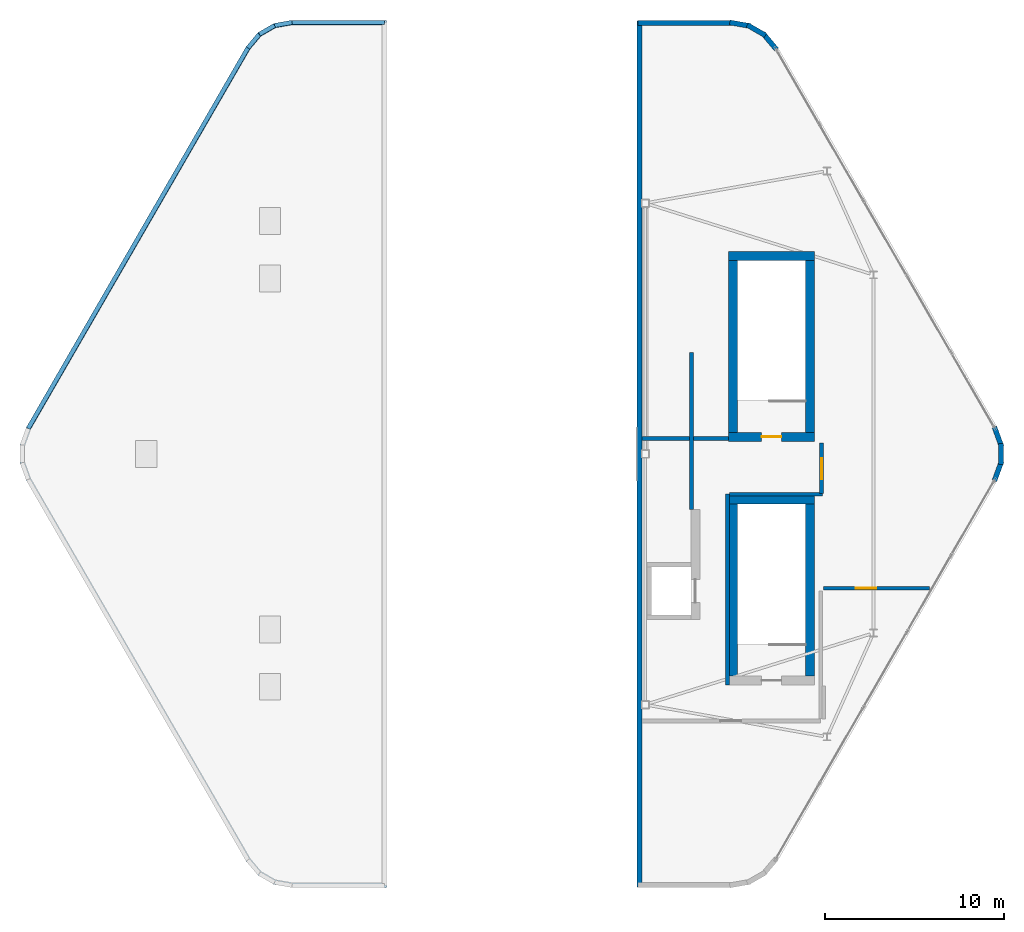
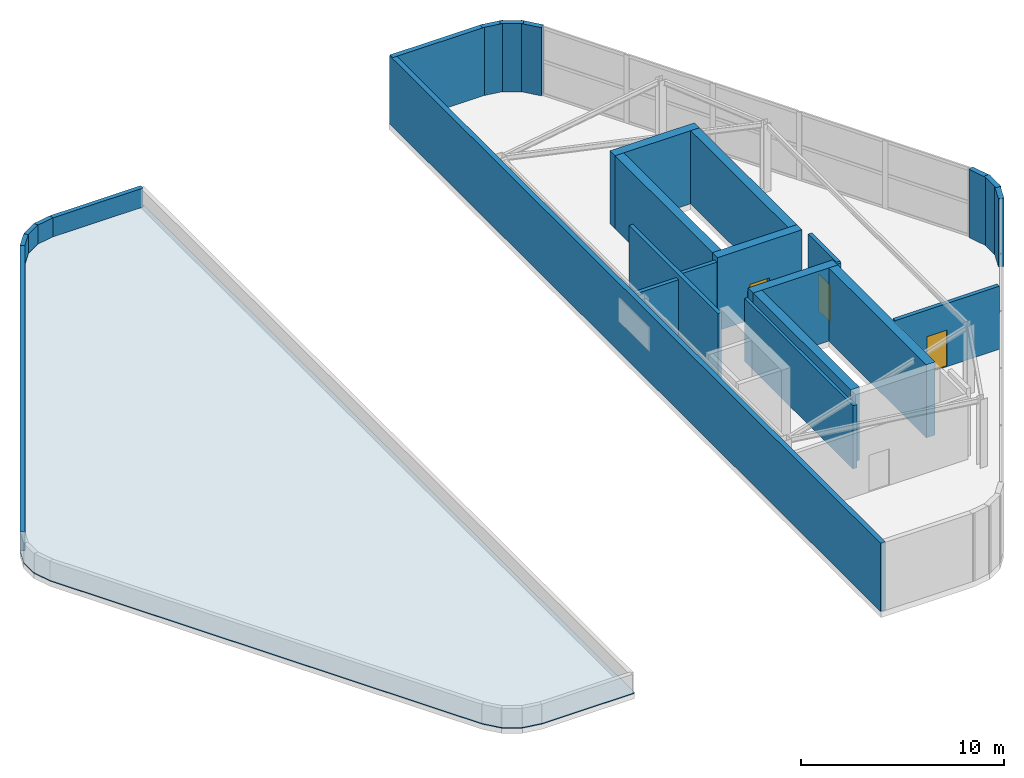
# One storey, part 7 of 8: 27 walls, 3 doors, 1 roof, 3 openings.
"""IFC4 building model written with IfcOpenShell, lengths in metres."""

from ifc_helpers import new_model, si_unit, direction, frame, frame_2d, origin, place, context, subcontext, project, spatial, polyline, rectangle, outline, extrude, material, layer, layer_set, type_object, element, fill, save


model = new_model("IFC4")

# Units and contexts
model_context = context("Model", 3, precision=1e-05, world=origin(), true_north=direction((0.0, 1.0)))
body_context = subcontext(model_context, "Body", "Model", "MODEL_VIEW")
ifc_project = project(units=[si_unit("LENGTHUNIT", "METRE"), si_unit("AREAUNIT", "SQUARE_METRE"), si_unit("VOLUMEUNIT", "CUBIC_METRE"), si_unit("PLANEANGLEUNIT", "RADIAN"), si_unit("MASSUNIT", "GRAM", prefix="KILO")], contexts=[model_context])

# Site, building, storey
site_placement = place(None, origin())
site = spatial("IfcSite", under=ifc_project, at=site_placement, CompositionType="ELEMENT")
building_placement = place(site_placement, origin())
building = spatial("IfcBuilding", under=site, at=building_placement, Name="Zuhravey Tower", CompositionType="ELEMENT")
storey_placement = place(building_placement, frame((0.0, 0.0, 383.39990234375)))
storey = spatial("IfcBuildingStorey", under=building, at=storey_placement, Name="L97", CompositionType="ELEMENT", Elevation=383.39990234375)

# Walls
ifc_material_1 = material(Name="Concrete C50/60", Category="concrete")
ifc_layer_1 = layer(ifc_material_1, 0.5)
ifc_layer_set_1 = layer_set([ifc_layer_1], Name="Concrete C50/60")
wall_type_1 = type_object("IfcWallType", Name="Core Shear Wall 500", PredefinedType="SHEAR", material=ifc_layer_set_1)
wall_1_placement = place(storey_placement, frame((52.89990234375, 29.449951171875, 0.0), z_axis=(0.0, 0.0, 1.0), x_axis=(-1.0, 0.0, 0.0)))
element("IfcWall", 1, at=wall_1_placement, inside=storey, type_object=wall_type_1, Name="L97 CST2 North Shaft Wall", PredefinedType="SHEAR", context=body_context, shape_type="SweptSolid", body=[
    extrude(rectangle(XDim=4.7998046875, YDim=0.5, at=frame_2d((2.39990234375, 0.0))), origin(), (0.0, 0.0, 1.0), 4.400146484375),
])
for number, where, z_axis, x_axis, name in (
    (2, (48.35009765625, 19.60009765625, 0.0), (0.0, 0.0, 1.0), (0.0, 1.0, 0.0), "L97 CST2 West Shaft Wall"),
    (3, (52.64990234375, 29.199951171875, 0.0), (0.0, 0.0, 1.0), (0.0, -1.0, 0.0), "L97 CST2 East Shaft Wall"),
):
    element("IfcWall", number, at=place(storey_placement, frame(where, z_axis=z_axis, x_axis=x_axis)), inside=storey, type_object=wall_type_1, Name=name, PredefinedType="SHEAR", context=body_context, shape_type="SweptSolid", body=[
        extrude(rectangle(XDim=9.599853515625, YDim=0.5, at=frame_2d((4.7998046875, 0.0))), origin(), (0.0, 0.0, 1.0), 4.400146484375),
    ])

# Wall, opening, door
wall_2_placement = place(storey_placement, frame((48.10009765625, 32.949951171875, 0.0), z_axis=(0.0, 0.0, 1.0), x_axis=(1.0, 0.0, 0.0)))
wall_2 = element("IfcWall", 4, at=wall_2_placement, inside=storey, type_object=wall_type_1, Name="L97 CST3 South Shaft Wall", PredefinedType="SHEAR", context=body_context, shape_type="SweptSolid", body=[
    extrude(rectangle(XDim=4.7998046875, YDim=0.5, at=frame_2d((2.39990234375, 0.0))), origin(), (0.0, 0.0, 1.0), 4.400146484375),
])
opening_1_placement = place(wall_2_placement, frame((1.85009765625, 0.0, 0.0)))
opening_1 = element("IfcOpeningElement", 5, at=opening_1_placement, cuts=wall_2, Name="Opening STD1", PredefinedType="OPENING", context=body_context, shape_type="SweptSolid", body=[
    extrude(rectangle(XDim=1.10009765625, YDim=2.14990234375, at=frame_2d((0.550048828125, 1.074951171875))), frame((0.0, 0.261962890625, 0.0), z_axis=(0.0, -1.0, 0.0), x_axis=(1.0, 0.0, 0.0)), (0.0, 0.0, 1.0), 0.52392578125),
])
ifc_material_2 = material(Name="Galvanised fire-rated steel leaf", Category="steel")
door_type_1 = type_object("IfcDoorType", Name="Protected Stair Fire Door 1100x2150", OperationType="NOTDEFINED", PredefinedType="USERDEFINED", material=ifc_material_2)
door_1_placement = place(opening_1_placement, origin())
door_1 = element("IfcDoor", 6, at=door_1_placement, inside=storey, type_object=door_type_1, Name="L97 CST3 Door", ObjectType="EXITDOOR", OperationType="SINGLE_SWING_LEFT", OverallHeight=2.14990234375, OverallWidth=1.10009765625, PredefinedType="USERDEFINED", context=body_context, shape_type="SweptSolid", body=[
    extrude(rectangle(XDim=1.10009765625, YDim=2.14990234375, at=frame_2d((0.550048828125, 1.074951171875))), frame((0.0, 0.02490234375, 0.0), z_axis=(0.0, -1.0, 0.0), x_axis=(1.0, 0.0, 0.0)), (0.0, 0.0, 1.0), 0.050048828125),
])
fill(opening_1, door_1)

# Walls
wall_3_placement = place(storey_placement, frame((52.89990234375, 43.050048828125, 0.0), z_axis=(0.0, 0.0, 1.0), x_axis=(-1.0, 0.0, 0.0)))
element("IfcWall", 7, at=wall_3_placement, inside=storey, type_object=wall_type_1, Name="L97 CST3 North Shaft Wall", PredefinedType="SHEAR", context=body_context, shape_type="SweptSolid", body=[
    extrude(rectangle(XDim=4.7998046875, YDim=0.5, at=frame_2d((2.39990234375, 0.0))), origin(), (0.0, 0.0, 1.0), 4.400146484375),
])
for number, where, z_axis, x_axis, name in (
    (8, (48.35009765625, 33.199951171875, 0.0), (0.0, 0.0, 1.0), (0.0, 1.0, 0.0), "L97 CST3 West Shaft Wall"),
    (9, (52.64990234375, 42.800048828125, 0.0), (0.0, 0.0, 1.0), (0.0, -1.0, 0.0), "L97 CST3 East Shaft Wall"),
):
    element("IfcWall", number, at=place(storey_placement, frame(where, z_axis=z_axis, x_axis=x_axis)), inside=storey, type_object=wall_type_1, Name=name, PredefinedType="SHEAR", context=body_context, shape_type="SweptSolid", body=[
        extrude(rectangle(XDim=9.60009765625, YDim=0.5, at=frame_2d((4.800048828125, 0.0))), origin(), (0.0, 0.0, 1.0), 4.400146484375),
    ])
ifc_material_3 = material(Name="Precast concrete C40/50", Category="concrete")
ifc_layer_2 = layer(ifc_material_3, 0.280029296875)
ifc_layer_set_2 = layer_set([ifc_layer_2], Name="Precast concrete C40/50")
wall_type_2 = type_object("IfcWallType", Name="Crown Architectural Wall 280", PredefinedType="SOLIDWALL", material=ifc_layer_set_2)
wall_4_placement = place(storey_placement, frame((48.1708984375, 56.090576171875, 0.0), z_axis=(0.0, 0.0, 1.0), x_axis=(0.984798162481, -0.173702559495, 0.0)))
element("IfcWall", 10, at=wall_4_placement, inside=storey, type_object=wall_type_2, Name="L97 EAST Crest Wall EW28-01", PredefinedType="SOLIDWALL", context=body_context, shape_type="SweptSolid", body=[
    extrude(rectangle(XDim=1.177734375, YDim=0.280029296875, at=frame_2d((0.5888671875, 0.0))), origin(), (0.0, 0.0, 1.0), 4.10009765625),
])
wall_5_placement = place(storey_placement, frame((49.15478515625, 55.9501953125, 0.0), z_axis=(0.0, 0.0, 1.0), x_axis=(0.865951785477, -0.500127488975, 0.0)))
element("IfcWall", 11, at=wall_5_placement, inside=storey, type_object=wall_type_2, Name="L97 EAST Crest Wall EW28-02", PredefinedType="SOLIDWALL", context=body_context, shape_type="SweptSolid", body=[
    extrude(rectangle(XDim=1.165283203125, YDim=0.280029296875, at=frame_2d((0.58251953125, 0.0))), origin(), (0.0, 0.0, 1.0), 4.10009765625),
])
for number, where, z_axis, x_axis, name in (
    (12, (50.0205078125, 55.48779296875, 0.0), (0.0, 0.0, 1.0), (0.642851701012, -0.765990659542, 0.0), "L97 EAST Crest Wall EW28-03"),
    (13, (62.948486328125, 33.5048828125, 0.0), (0.0, 0.0, 1.0), (0.342042645118, -0.939684430498, 0.0), "L97 EAST Crest Wall EW28-05"),
):
    element("IfcWall", number, at=place(storey_placement, frame(where, z_axis=z_axis, x_axis=x_axis)), inside=storey, type_object=wall_type_2, Name=name, PredefinedType="SOLIDWALL", context=body_context, shape_type="SweptSolid", body=[
        extrude(rectangle(XDim=1.177734375, YDim=0.280029296875, at=frame_2d((0.5888671875, 0.0))), origin(), (0.0, 0.0, 1.0), 4.10009765625),
    ])
wall_6_placement = place(storey_placement, frame((63.31884765625, 32.58251953125, 0.0), z_axis=(0.0, 0.0, 1.0), x_axis=(0.0, -1.0, 0.0)))
element("IfcWall", 14, at=wall_6_placement, inside=storey, type_object=wall_type_2, Name="L97 EAST Crest Wall EW28-06", PredefinedType="SOLIDWALL", context=body_context, shape_type="SweptSolid", body=[
    extrude(rectangle(XDim=1.1650390625, YDim=0.280029296875, at=frame_2d((0.58251953125, 0.0))), origin(), (0.0, 0.0, 1.0), 4.10009765625),
])
wall_7_placement = place(storey_placement, frame((63.351318359375, 31.601806640625, 0.0), z_axis=(0.0, 0.0, 1.0), x_axis=(-0.342042645118, -0.939684430498, 0.0)))
element("IfcWall", 15, at=wall_7_placement, inside=storey, type_object=wall_type_2, Name="L97 EAST Crest Wall EW28-07", PredefinedType="SOLIDWALL", context=body_context, shape_type="SweptSolid", body=[
    extrude(rectangle(XDim=1.177734375, YDim=0.280029296875, at=frame_2d((0.5888671875, 0.0))), origin(), (0.0, 0.0, 1.0), 4.10009765625),
])
wall_8_placement = place(storey_placement, frame((43.139892578125, 7.830810546875, 0.0), z_axis=(0.0, 0.0, 1.0), x_axis=(0.0, 1.0, 0.0)))
element("IfcWall", 16, at=wall_8_placement, inside=storey, type_object=wall_type_2, Name="L97 EAST Crest Wall EW28-13", PredefinedType="SOLIDWALL", context=body_context, shape_type="SweptSolid", body=[
    extrude(rectangle(XDim=48.33837890625, YDim=0.280029296875, at=frame_2d((24.169189453125, 0.0))), origin(), (0.0, 0.0, 1.0), 4.10009765625),
])
wall_9_placement = place(storey_placement, frame((43.044921875, 56.07421875, 0.0), z_axis=(0.0, 0.0, 1.0), x_axis=(1.0, 0.0, 0.0)))
element("IfcWall", 17, at=wall_9_placement, inside=storey, type_object=wall_type_2, Name="L97 EAST Crest Wall EW28-14", PredefinedType="SOLIDWALL", context=body_context, shape_type="SweptSolid", body=[
    extrude(rectangle(XDim=5.314697265625, YDim=0.280029296875, at=frame_2d((2.6572265625, 0.0))), origin(), (0.0, 0.0, 1.0), 4.10009765625),
])
ifc_layer_3 = layer(ifc_material_3, 0.239990234375)
ifc_layer_set_3 = layer_set([ifc_layer_3], Name="Precast concrete C40/50")
wall_type_3 = type_object("IfcWallType", Name="Roof Parapet Upstand Wall 240", PredefinedType="PARAPET", material=ifc_layer_set_3)
wall_10_placement = place(storey_placement, frame((9.000732421875, 33.424072265625, 0.0), z_axis=(0.0, 0.0, 1.0), x_axis=(0.500001847459, 0.866024337151, 0.0)))
element("IfcWall", 18, at=wall_10_placement, inside=storey, type_object=wall_type_3, Name="L97 WEST Roof Parapet PW24-08", PredefinedType="PARAPET", context=body_context, shape_type="SweptSolid", body=[
    extrude(rectangle(XDim=24.53271484375, YDim=0.239990234375, at=frame_2d((12.266357421875, 0.0))), origin(), (0.0, 0.0, 1.0), 1.2001953125),
])
wall_11_placement = place(storey_placement, frame((21.26708984375, 54.669921875, 0.0), z_axis=(0.0, 0.0, 1.0), x_axis=(0.642696066152, 0.766121247945, 0.0)))
element("IfcWall", 19, at=wall_11_placement, inside=storey, type_object=wall_type_3, Name="L97 WEST Roof Parapet PW24-09", PredefinedType="PARAPET", context=body_context, shape_type="SweptSolid", body=[
    extrude(rectangle(XDim=0.992919921875, YDim=0.239990234375, at=frame_2d((0.49658203125, 0.0))), origin(), (0.0, 0.0, 1.0), 1.2001953125),
])
wall_12_placement = place(storey_placement, frame((21.9052734375, 55.4306640625, 0.0), z_axis=(0.0, 0.0, 1.0), x_axis=(0.866077964386, 0.499908951315, 0.0)))
element("IfcWall", 20, at=wall_12_placement, inside=storey, type_object=wall_type_3, Name="L97 WEST Roof Parapet PW24-10", PredefinedType="PARAPET", context=body_context, shape_type="SweptSolid", body=[
    extrude(rectangle(XDim=0.982177734375, YDim=0.239990234375, at=frame_2d((0.4912109375, 0.0))), origin(), (0.0, 0.0, 1.0), 1.2001953125),
])
wall_13_placement = place(storey_placement, frame((22.755859375, 55.921630859375, 0.0), z_axis=(0.0, 0.0, 1.0), x_axis=(0.984815723027, 0.1736029714, 0.0)))
element("IfcWall", 21, at=wall_13_placement, inside=storey, type_object=wall_type_3, Name="L97 WEST Roof Parapet PW24-11", PredefinedType="PARAPET", context=body_context, shape_type="SweptSolid", body=[
    extrude(rectangle(XDim=0.992919921875, YDim=0.239990234375, at=frame_2d((0.49658203125, 0.0))), origin(), (0.0, 0.0, 1.0), 1.2001953125),
])
wall_14_placement = place(storey_placement, frame((23.733642578125, 56.093994140625, 0.0), z_axis=(0.0, 0.0, 1.0), x_axis=(1.0, 0.0, 0.0)))
element("IfcWall", 22, at=wall_14_placement, inside=storey, type_object=wall_type_3, Name="L97 WEST Roof Parapet PW24-12", PredefinedType="PARAPET", context=body_context, shape_type="SweptSolid", body=[
    extrude(rectangle(XDim=5.146240234375, YDim=0.239990234375, at=frame_2d((2.5732421875, 0.0))), origin(), (0.0, 0.0, 1.0), 1.2001953125),
])

# Wall, opening, door
ifc_material_4 = material(Name="Gypsum acoustic stud assembly")
ifc_layer_4 = layer(ifc_material_4, 0.219970703125)
ifc_layer_set_4 = layer_set([ifc_layer_4], Name="Gypsum acoustic stud assembly")
wall_type_4 = type_object("IfcWallType", Name="School Acoustic Compartment Wall 220", PredefinedType="PARTITIONING", material=ifc_layer_set_4)
wall_15_placement = place(storey_placement, frame((53.39990234375, 24.5, 0.0), z_axis=(0.0, 0.0, 1.0), x_axis=(1.0, 0.0, 0.0)))
wall_15 = element("IfcWall", 23, at=wall_15_placement, inside=storey, type_object=wall_type_4, Name="L97 IW22 Partition 004", PredefinedType="PARTITIONING", context=body_context, shape_type="SweptSolid", body=[
    extrude(rectangle(XDim=5.9296875, YDim=0.219970703125, at=frame_2d((2.96484375, 0.0))), origin(), (0.0, 0.0, 1.0), 3.800048828125),
])
opening_2_placement = place(wall_15_placement, frame((1.800048828125, 0.0, 0.0)))
opening_2 = element("IfcOpeningElement", 24, at=opening_2_placement, cuts=wall_15, Name="Opening CLD1", PredefinedType="OPENING", context=body_context, shape_type="SweptSolid", body=[
    extrude(rectangle(XDim=1.14990234375, YDim=2.199951171875, at=frame_2d((0.574951171875, 1.10009765625))), frame((0.0, 0.1220703125, 0.0), z_axis=(0.0, -1.0, 0.0), x_axis=(1.0, 0.0, 0.0)), (0.0, 0.0, 1.0), 0.243896484375),
])
ifc_material_5 = material(Name="Acoustic timber leaf with vision lite", Category="wood")
door_type_2 = type_object("IfcDoorType", Name="Classroom Acoustic Door 1150x2200", OperationType="NOTDEFINED", PredefinedType="DOOR", material=ifc_material_5)
door_2_placement = place(opening_2_placement, frame((1.14990234375, 0.0, 0.0), z_axis=(0.0, 0.0, 1.0), x_axis=(-1.0, 0.0, 0.0)))
door_2 = element("IfcDoor", 25, at=door_2_placement, inside=storey, type_object=door_type_2, Name="L97 Chiller Sub-Plant Door", OperationType="SINGLE_SWING_RIGHT", OverallHeight=2.199951171875, OverallWidth=1.14990234375, PredefinedType="DOOR", context=body_context, shape_type="SweptSolid", body=[
    extrude(rectangle(XDim=1.14990234375, YDim=2.199951171875, at=frame_2d((0.574951171875, 1.10009765625))), frame((0.0, 0.02490234375, 0.0), z_axis=(0.0, -1.0, 0.0), x_axis=(1.0, 0.0, 0.0)), (0.0, 0.0, 1.0), 0.050048828125),
])
fill(opening_2, door_2)

wall_16_placement = place(storey_placement, frame((53.300048828125, 29.800048828125, 0.0), z_axis=(0.0, 0.0, 1.0), x_axis=(0.0, 1.0, 0.0)))
wall_16 = element("IfcWall", 26, at=wall_16_placement, inside=storey, type_object=wall_type_4, Name="L97 IW22 Partition 006", PredefinedType="PARTITIONING", context=body_context, shape_type="SweptSolid", body=[
    extrude(rectangle(XDim=2.800048828125, YDim=0.219970703125, at=frame_2d((1.39990234375, 0.0))), origin(), (0.0, 0.0, 1.0), 4.10009765625),
])
opening_3_placement = place(wall_16_placement, frame((0.800048828125, 0.0, 0.0)))
opening_3 = element("IfcOpeningElement", 27, at=opening_3_placement, cuts=wall_16, Name="Opening CLD1", PredefinedType="OPENING", context=body_context, shape_type="SweptSolid", body=[
    extrude(rectangle(XDim=1.14990234375, YDim=2.199951171875, at=frame_2d((0.574951171875, 1.10009765625))), frame((0.0, 0.1220703125, 0.0), z_axis=(0.0, -1.0, 0.0), x_axis=(1.0, 0.0, 0.0)), (0.0, 0.0, 1.0), 0.243896484375),
])
door_3_placement = place(opening_3_placement, frame((1.14990234375, 0.0, 0.0), z_axis=(0.0, 0.0, 1.0), x_axis=(-1.0, 0.0, 0.0)))
door_3 = element("IfcDoor", 28, at=door_3_placement, inside=storey, type_object=door_type_2, Name="L97 Crown Building Maintenance Equipment Plant Door", OperationType="SINGLE_SWING_RIGHT", OverallHeight=2.199951171875, OverallWidth=1.14990234375, PredefinedType="DOOR", context=body_context, shape_type="SweptSolid", body=[
    extrude(rectangle(XDim=1.14990234375, YDim=2.199951171875, at=frame_2d((0.574951171875, 1.10009765625))), frame((0.0, 0.02490234375, 0.0), z_axis=(0.0, -1.0, 0.0), x_axis=(1.0, 0.0, 0.0)), (0.0, 0.0, 1.0), 0.050048828125),
])
fill(opening_3, door_3)

# Walls
wall_17_placement = place(storey_placement, frame((48.050048828125, 19.10009765625, 0.0), z_axis=(0.0, 0.0, 1.0), x_axis=(0.0, 1.0, 0.0)))
element("IfcWall", 29, at=wall_17_placement, inside=storey, type_object=wall_type_4, Name="L97 IW22 Partition 008", PredefinedType="PARTITIONING", context=body_context, shape_type="SweptSolid", body=[
    extrude(rectangle(XDim=10.64990234375, YDim=0.219970703125, at=frame_2d((5.324951171875, 0.0))), origin(), (0.0, 0.0, 1.0), 3.800048828125),
])
wall_18_placement = place(storey_placement, frame((48.16796875, 29.75, 0.0), z_axis=(0.0, 0.0, 1.0), x_axis=(1.0, 0.0, 0.0)))
element("IfcWall", 30, at=wall_18_placement, inside=storey, type_object=wall_type_4, Name="L97 IW22 Partition 009", PredefinedType="PARTITIONING", context=body_context, shape_type="SweptSolid", body=[
    extrude(rectangle(XDim=5.18212890625, YDim=0.219970703125, at=frame_2d((2.591064453125, 0.0))), origin(), (0.0, 0.0, 1.0), 4.10009765625),
])
wall_19_placement = place(storey_placement, frame((46.030029296875, 37.64990234375, 0.0), z_axis=(0.0, 0.0, 1.0), x_axis=(0.0, -1.0, 0.0)))
element("IfcWall", 31, at=wall_19_placement, inside=storey, type_object=wall_type_4, Name="L97 IW22 Partition 011", PredefinedType="PARTITIONING", context=body_context, shape_type="SweptSolid", body=[
    extrude(rectangle(XDim=8.75, YDim=0.219970703125, at=frame_2d((4.375, 0.0))), origin(), (0.0, 0.0, 1.0), 4.10009765625),
])
wall_20_placement = place(storey_placement, frame((48.10009765625, 32.8701171875, 0.0), z_axis=(0.0, 0.0, 1.0), x_axis=(-1.0, 0.0, 0.0)))
element("IfcWall", 32, at=wall_20_placement, inside=storey, type_object=wall_type_4, Name="L97 IW22 Partition 012", PredefinedType="PARTITIONING", context=body_context, shape_type="SweptSolid", body=[
    extrude(rectangle(XDim=1.9521484375, YDim=0.219970703125, at=frame_2d((0.97607421875, 0.0))), origin(), (0.0, 0.0, 1.0), 4.10009765625),
])
wall_21_placement = place(storey_placement, frame((45.912109375, 32.8701171875, 0.0), z_axis=(0.0, 0.0, 1.0), x_axis=(-1.0, 0.0, 0.0)))
element("IfcWall", 33, at=wall_21_placement, inside=storey, type_object=wall_type_4, Name="L97 IW22 Partition 013", PredefinedType="PARTITIONING", context=body_context, shape_type="SweptSolid", body=[
    extrude(rectangle(XDim=2.652099609375, YDim=0.219970703125, at=frame_2d((1.326171875, 0.0))), origin(), (0.0, 0.0, 1.0), 3.800048828125),
])

# Roof
ifc_material_6 = material(Name="Concrete C40/50", Category="concrete")
ifc_layer_5 = layer(ifc_material_6, 0.320068359375)
ifc_layer_set_5 = layer_set([ifc_layer_5], Name="Concrete C40/50")
roof_type = type_object("IfcRoofType", Name="Crown Crest Flat Roof Assembly", PredefinedType="FLAT_ROOF", material=ifc_layer_set_5)
roof_placement = place(storey_placement, origin())
element("IfcRoof", 34, at=roof_placement, inside=storey, type_object=roof_type, Name="L97 West Crest Flat Roof Assembly RFA1", PredefinedType="FLAT_ROOF", context=body_context, shape_type="SweptSolid", body=[
    extrude(outline(polyline([(23.72314453125, 7.785888671875), (22.714111328125, 7.9638671875), (21.826904296875, 8.47607421875), (21.16845703125, 9.260986328125), (8.8916015625, 30.52490234375), (8.541259765625, 31.48779296875), (8.541259765625, 32.51220703125), (8.8916015625, 33.47509765625), (21.16845703125, 54.739013671875), (21.826904296875, 55.52392578125), (22.714111328125, 56.0361328125), (23.72314453125, 56.214111328125), (29.0, 56.214111328125), (29.0, 7.785888671875), (23.72314453125, 7.785888671875)])), origin(), (0.0, 0.0, 1.0), 0.06005859375),
])

save(model, "model.ifc")
